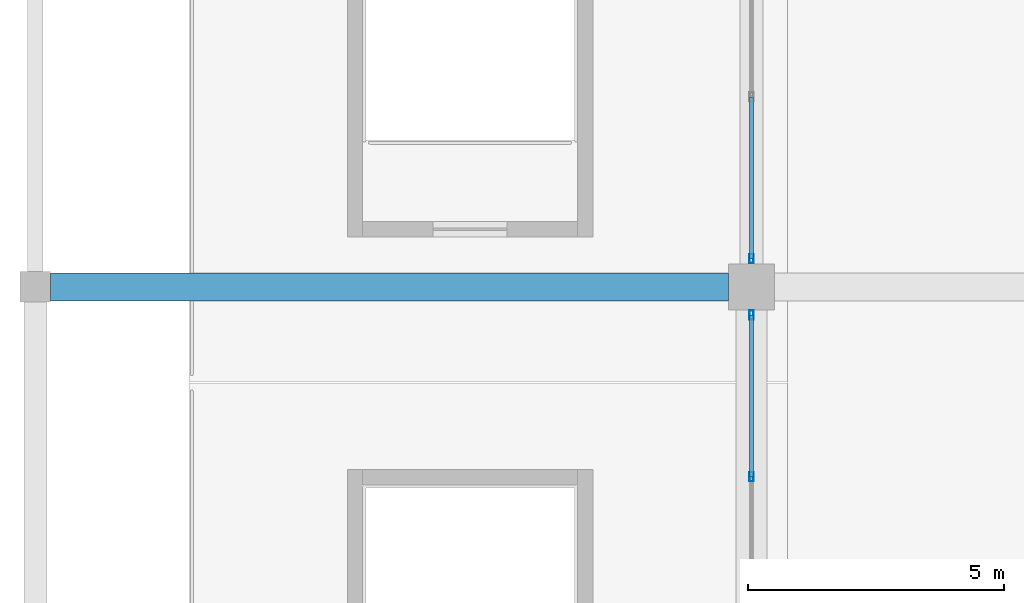
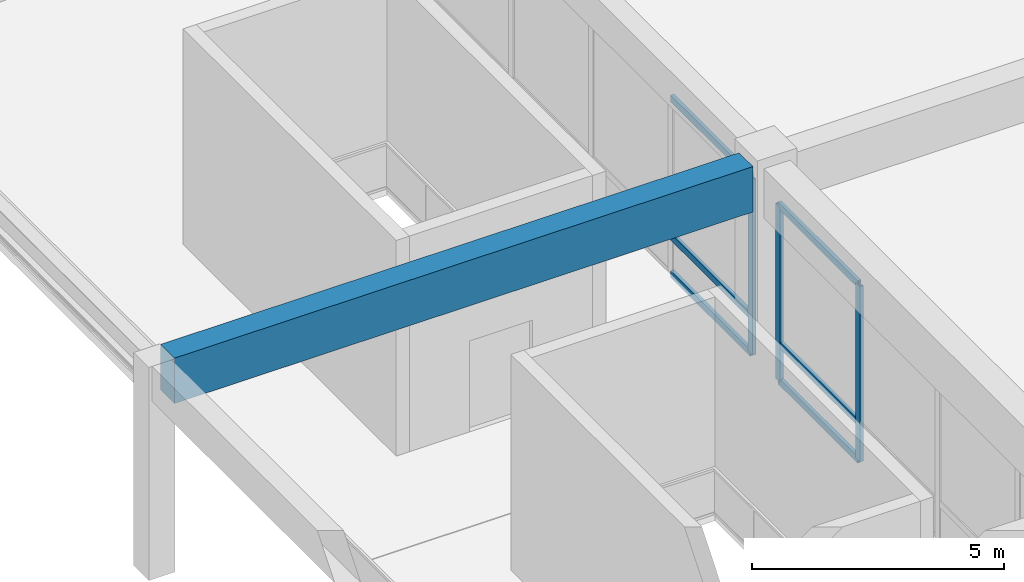
# One storey, part 25 of 90: 9 members, 1 beam, 2 elements without a shape of their own.
"""IFC4 building model written with IfcOpenShell, lengths in metres."""

from ifc_helpers import new_model, si_unit, direction, frame, origin, origin_2d, place, context, subcontext, project, spatial, rectangle, hollow_rectangle, extrude, material, material_profile, profile_set, type_object, element, aggregate, save


model = new_model("IFC4")

# Units and contexts
model_context = context("Model", 3, precision=1e-05, world=origin(), true_north=direction((0.0, 1.0)))
body_context = subcontext(model_context, "Body", "Model", "MODEL_VIEW")
ifc_project = project(units=[si_unit("LENGTHUNIT", "METRE"), si_unit("AREAUNIT", "SQUARE_METRE"), si_unit("VOLUMEUNIT", "CUBIC_METRE"), si_unit("PLANEANGLEUNIT", "RADIAN"), si_unit("MASSUNIT", "GRAM", prefix="KILO")], contexts=[model_context])

# Site, building, storey
site_placement = place(None, origin())
site = spatial("IfcSite", under=ifc_project, at=site_placement, CompositionType="ELEMENT")
building_placement = place(site_placement, origin())
building = spatial("IfcBuilding", under=site, at=building_placement, Name="Linyun Crest Stadium", CompositionType="ELEMENT")
storey_placement = place(building_placement, frame((0.0, 0.0, 21.0)))
storey = spatial("IfcBuildingStorey", under=building, at=storey_placement, Name="L05", CompositionType="ELEMENT", Elevation=21.0)

# Curtain wall, members
ifc_material_1 = material(Name="Verdigris steel and low-E curtain wall assembly", Category="steel")
curtain_wall_type = type_object("IfcCurtainWallType", Name="MCW01", PredefinedType="NOTDEFINED", material=ifc_material_1)
curtain_wall_1_placement = place(storey_placement, origin())
curtain_wall_1 = element("IfcCurtainWall", 1, at=curtain_wall_1_placement, inside=storey, type_object=curtain_wall_type, Name="CWR-085", PredefinedType="NOTDEFINED")
ifc_material_2 = material(Name="Verdigris painted steel Q355B mullion", Category="steel")
ifc_material_profile_1 = material_profile(ifc_material_2, hollow_rectangle(XDim=0.080078125, YDim=0.179931640625, WallThickness=0.006103515625, at=origin_2d()), Name="RHS 180x80x6")
ifc_profile_set_1 = profile_set([ifc_material_profile_1], Name="Verdigris painted steel Q355B mullion")
member_type_1 = type_object("IfcMemberType", Name="ML02", PredefinedType="MULLION", material=ifc_profile_set_1)
member_1_placement = place(storey_placement, frame((-84.0, -15.337890625, 0.0), z_axis=(0.0, 0.0, 1.0), x_axis=(-1.0, 0.0, 0.0)))
member_1 = element("IfcMember", 2, at=member_1_placement, type_object=member_type_1, Name="CWR-085 mullion 4", PredefinedType="MULLION", context=body_context, shape_type="SweptSolid", body=[
    extrude(hollow_rectangle(XDim=0.080078125, YDim=0.179931640625, WallThickness=0.006103515625, at=origin_2d()), origin(), (0.0, 0.0, 1.0), 4.25),
])
member_2_placement = place(storey_placement, frame((-84.0, -12.175048828125, 0.0), z_axis=(0.0, 0.0, 1.0), x_axis=(-1.0, 0.0, 0.0)))
member_2 = element("IfcMember", 3, at=member_2_placement, type_object=member_type_1, Name="CWR-085 mullion 5", PredefinedType="MULLION", context=body_context, shape_type="SweptSolid", body=[
    extrude(hollow_rectangle(XDim=0.080078125, YDim=0.179931640625, WallThickness=0.006103515625, at=origin_2d()), origin(), (0.0, 0.0, 1.0), 4.25),
])

# Curtain wall, member
curtain_wall_2_placement = place(storey_placement, origin())
curtain_wall_2 = element("IfcCurtainWall", 4, at=curtain_wall_2_placement, inside=storey, type_object=curtain_wall_type, Name="CWR-094", PredefinedType="NOTDEFINED")
member_3_placement = place(storey_placement, frame((-84.0, -11.074951171875, 0.0), z_axis=(0.0, 0.0, 1.0), x_axis=(-1.0, 0.0, 0.0)))
member_3 = element("IfcMember", 5, at=member_3_placement, type_object=member_type_1, Name="CWR-094 mullion 1", PredefinedType="MULLION", context=body_context, shape_type="SweptSolid", body=[
    extrude(hollow_rectangle(XDim=0.080078125, YDim=0.179931640625, WallThickness=0.006103515625, at=origin_2d()), origin(), (0.0, 0.0, 1.0), 4.25),
])

# Beam
ifc_material_3 = material(Name="Concrete C50", Category="concrete")
ifc_material_profile_2 = material_profile(ifc_material_3, rectangle(XDim=0.550048828125, YDim=1.10009765625, at=origin_2d()), Name="RCB 1100x550")
ifc_profile_set_2 = profile_set([ifc_material_profile_2], Name="Concrete C50")
beam_type = type_object("IfcBeamType", Name="TB01", PredefinedType="USERDEFINED", material=ifc_profile_set_2)
beam_placement = place(storey_placement, frame((-97.699951171875, -11.625, 4.610107421875), z_axis=(1.0, 0.0, 0.0), x_axis=(0.0, 1.0, 0.0)))
element("IfcBeam", 6, at=beam_placement, inside=storey, type_object=beam_type, Name="Frame beam TB01 L05 352", ObjectType="GIRDER", PredefinedType="USERDEFINED", context=body_context, shape_type="SweptSolid", body=[
    extrude(rectangle(XDim=0.550048828125, YDim=1.10009765625, at=origin_2d()), origin(), (0.0, 0.0, 1.0), 13.25),
])

# Member
ifc_material_4 = material(Name="Aluminium thermally broken transom", Category="aluminium")
ifc_material_profile_3 = material_profile(ifc_material_4, hollow_rectangle(XDim=0.080078125, YDim=0.159912109375, WallThickness=0.006103515625, at=origin_2d()), Name="RHS 160x80x6")
ifc_profile_set_3 = profile_set([ifc_material_profile_3], Name="Aluminium thermally broken transom")
member_type_2 = type_object("IfcMemberType", Name="TR01", PredefinedType="USERDEFINED", material=ifc_profile_set_3)
member_4_placement = place(storey_placement, frame((-84.0, -15.337890625, 0.0), z_axis=(0.0, 1.0, 0.0), x_axis=(-1.0, 0.0, 0.0)))
member_4 = element("IfcMember", 7, at=member_4_placement, type_object=member_type_2, Name="CWR-085 transom 4.1", ObjectType="TRANSOM", PredefinedType="USERDEFINED", context=body_context, shape_type="SweptSolid", body=[
    extrude(hollow_rectangle(XDim=0.080078125, YDim=0.159912109375, WallThickness=0.006103515625, at=origin_2d()), origin(), (0.0, 0.0, 1.0), 3.162841796875),
])

member_5_placement = place(storey_placement, frame((-84.0, -15.337890625, 0.89990234375), z_axis=(0.0, 1.0, 0.0), x_axis=(-1.0, 0.0, 0.0)))
member_5 = element("IfcMember", 8, at=member_5_placement, type_object=member_type_2, Name="CWR-085 transom 4.2", ObjectType="TRANSOM", PredefinedType="USERDEFINED", context=body_context, shape_type="SweptSolid", body=[
    extrude(hollow_rectangle(XDim=0.080078125, YDim=0.159912109375, WallThickness=0.006103515625, at=origin_2d()), origin(), (0.0, 0.0, 1.0), 3.162841796875),
])

member_6_placement = place(storey_placement, frame((-84.0, -15.337890625, 4.25), z_axis=(0.0, 1.0, 0.0), x_axis=(-1.0, 0.0, 0.0)))
member_6 = element("IfcMember", 9, at=member_6_placement, type_object=member_type_2, Name="CWR-085 transom 4.3", ObjectType="TRANSOM", PredefinedType="USERDEFINED", context=body_context, shape_type="SweptSolid", body=[
    extrude(hollow_rectangle(XDim=0.080078125, YDim=0.159912109375, WallThickness=0.006103515625, at=origin_2d()), origin(), (0.0, 0.0, 1.0), 3.162841796875),
])

aggregate(curtain_wall_1, [member_1, member_2, member_4, member_5, member_6])

member_7_placement = place(storey_placement, frame((-84.0, -11.074951171875, 0.0), z_axis=(0.0, 1.0, 0.0), x_axis=(-1.0, 0.0, 0.0)))
member_7 = element("IfcMember", 10, at=member_7_placement, type_object=member_type_2, Name="CWR-094 transom 1.1", ObjectType="TRANSOM", PredefinedType="USERDEFINED", context=body_context, shape_type="SweptSolid", body=[
    extrude(hollow_rectangle(XDim=0.080078125, YDim=0.159912109375, WallThickness=0.006103515625, at=origin_2d()), origin(), (0.0, 0.0, 1.0), 3.162841796875),
])

member_8_placement = place(storey_placement, frame((-84.0, -11.074951171875, 0.89990234375), z_axis=(0.0, 1.0, 0.0), x_axis=(-1.0, 0.0, 0.0)))
member_8 = element("IfcMember", 11, at=member_8_placement, type_object=member_type_2, Name="CWR-094 transom 1.2", ObjectType="TRANSOM", PredefinedType="USERDEFINED", context=body_context, shape_type="SweptSolid", body=[
    extrude(hollow_rectangle(XDim=0.080078125, YDim=0.159912109375, WallThickness=0.006103515625, at=origin_2d()), origin(), (0.0, 0.0, 1.0), 3.162841796875),
])

member_9_placement = place(storey_placement, frame((-84.0, -11.074951171875, 4.25), z_axis=(0.0, 1.0, 0.0), x_axis=(-1.0, 0.0, 0.0)))
member_9 = element("IfcMember", 12, at=member_9_placement, type_object=member_type_2, Name="CWR-094 transom 1.3", ObjectType="TRANSOM", PredefinedType="USERDEFINED", context=body_context, shape_type="SweptSolid", body=[
    extrude(hollow_rectangle(XDim=0.080078125, YDim=0.159912109375, WallThickness=0.006103515625, at=origin_2d()), origin(), (0.0, 0.0, 1.0), 3.162841796875),
])

aggregate(curtain_wall_2, [member_3, member_7, member_8, member_9])

save(model, "model.ifc")
